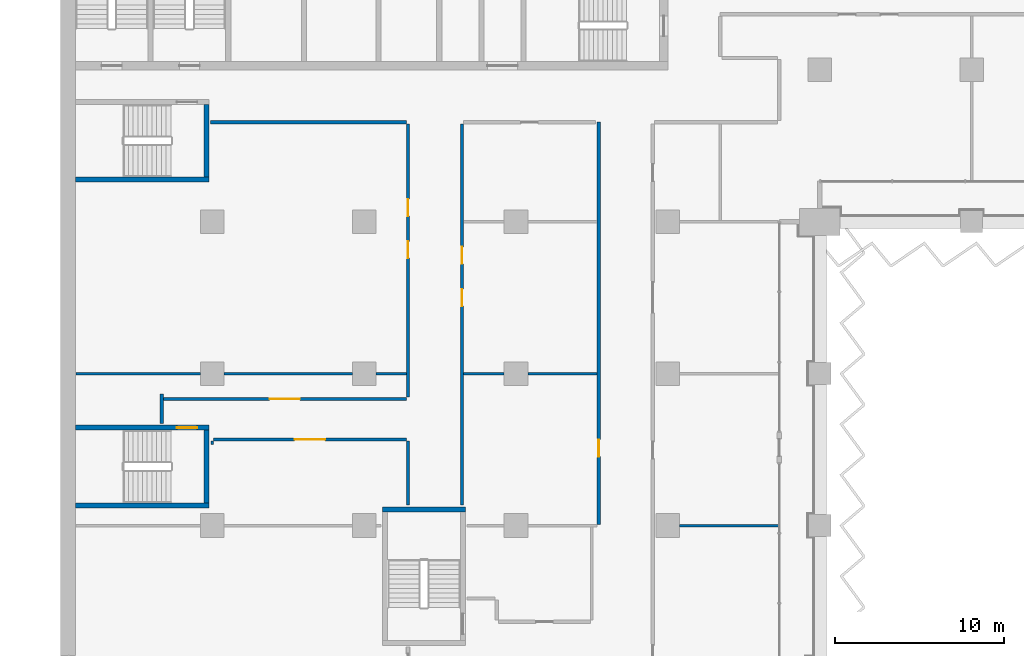
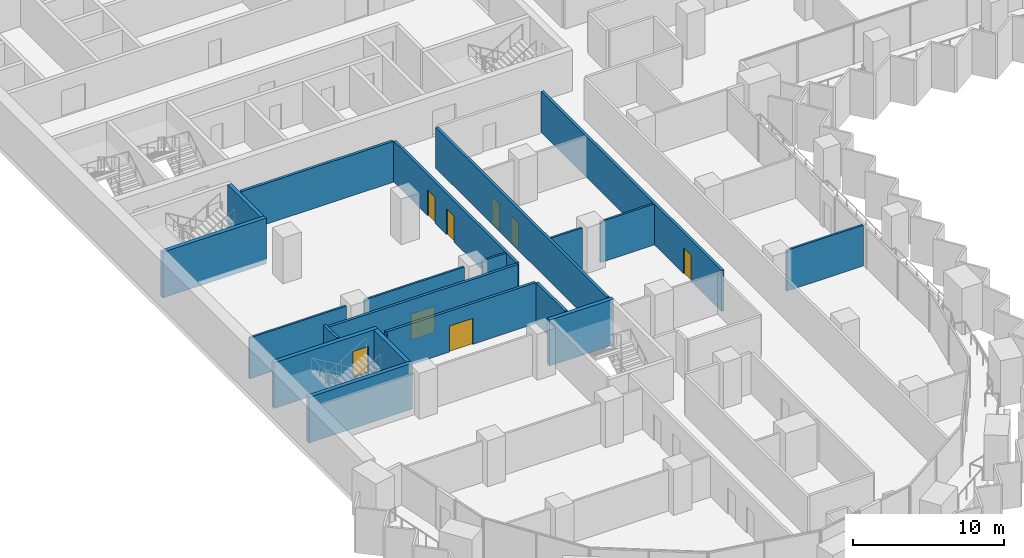
# One storey, part 11 of 28: 21 walls, 8 doors, 8 openings.
"""IFC4 building model written with IfcOpenShell, lengths in metres."""

from ifc_helpers import new_model, si_unit, direction, frame, frame_2d, origin, place, context, subcontext, project, spatial, rectangle, extrude, material, layer, layer_set, type_object, element, fill, save


model = new_model("IFC4")

# Units and contexts
model_context = context("Model", 3, precision=1e-05, world=origin(), true_north=direction((0.0, 1.0)))
body_context = subcontext(model_context, "Body", "Model", "MODEL_VIEW")
ifc_project = project(units=[si_unit("LENGTHUNIT", "METRE"), si_unit("AREAUNIT", "SQUARE_METRE"), si_unit("VOLUMEUNIT", "CUBIC_METRE"), si_unit("PLANEANGLEUNIT", "RADIAN"), si_unit("MASSUNIT", "GRAM", prefix="KILO")], contexts=[model_context])

# Site, building, storey
site_placement = place(None, origin())
site = spatial("IfcSite", under=ifc_project, at=site_placement, CompositionType="ELEMENT")
building_placement = place(site_placement, origin())
building = spatial("IfcBuilding", under=site, at=building_placement, Name="Hunhe Ridgeline Campus", CompositionType="ELEMENT")
storey_placement = place(building_placement, frame((0.0, 0.0, 58.0)))
storey = spatial("IfcBuildingStorey", under=building, at=storey_placement, Name="L13", CompositionType="ELEMENT", Elevation=58.0)

# Wall, opening, door
ifc_material_1 = material(Name="Gypsum board partition")
ifc_layer_1 = layer(ifc_material_1, 0.199951171875)
ifc_layer_set_1 = layer_set([ifc_layer_1], Name="Corridor partition 200 gypsum board on steel studs")
wall_type_1 = type_object("IfcWallType", Name="Corridor partition 200 gypsum board on steel studs", PredefinedType="PARTITIONING", material=ifc_layer_set_1)
wall_1_placement = place(storey_placement, frame((20.5, 41.10009765625, 0.0), z_axis=(0.0, 0.0, 1.0), x_axis=(-1.0, 0.0, 0.0)))
wall_1 = element("IfcWall", 1, at=wall_1_placement, inside=storey, type_object=wall_type_1, Name="F-L13-wall-023", PredefinedType="PARTITIONING", context=body_context, shape_type="SweptSolid", body=[
    extrude(rectangle(XDim=11.425048828125, YDim=0.199951171875, at=frame_2d((5.71240234375, 0.0))), origin(), (0.0, 0.0, 1.0), 3.300048828125),
])
opening_1_placement = place(wall_1_placement, frame((4.8125, 0.0, 0.0)))
opening_1 = element("IfcOpeningElement", 2, at=opening_1_placement, cuts=wall_1, Name="Opening RD2-014", PredefinedType="OPENING", context=body_context, shape_type="SweptSolid", body=[
    extrude(rectangle(XDim=1.800048828125, YDim=2.10009765625, at=frame_2d((0.89990234375, 1.050048828125))), frame((0.0, 0.10009765625, 0.0), z_axis=(0.0, -1.0, 0.0), x_axis=(1.0, 0.0, 0.0)), (0.0, 0.0, 1.0), 0.199951171875),
])
ifc_material_2 = material(Name="Timber door leaf", Category="wood")
door_type_1 = type_object("IfcDoorType", Name="Double fire door 1800x2100 timber FD60", OperationType="DOUBLE_DOOR_SINGLE_SWING", PredefinedType="DOOR", material=ifc_material_2)
door_1_placement = place(opening_1_placement, origin())
door_1 = element("IfcDoor", 3, at=door_1_placement, inside=storey, type_object=door_type_1, Name="F-L13-door-014", OperationType="DOUBLE_DOOR_SINGLE_SWING", OverallHeight=2.10009765625, OverallWidth=1.800048828125, PredefinedType="DOOR", context=body_context, shape_type="SweptSolid", body=[
    extrude(rectangle(XDim=1.800048828125, YDim=2.10009765625, at=frame_2d((0.89990234375, 1.050048828125))), frame((0.0, 0.02490234375, 0.0), z_axis=(0.0, -1.0, 0.0), x_axis=(1.0, 0.0, 0.0)), (0.0, 0.0, 1.0), 0.050048828125),
])
fill(opening_1, door_1)

wall_2_placement = place(storey_placement, frame((6.10009765625, 43.5, 0.0), z_axis=(0.0, 0.0, 1.0), x_axis=(1.0, 0.0, 0.0)))
wall_2 = element("IfcWall", 4, at=wall_2_placement, inside=storey, type_object=wall_type_1, Name="F-L13-wall-024", PredefinedType="PARTITIONING", context=body_context, shape_type="SweptSolid", body=[
    extrude(rectangle(XDim=14.39990234375, YDim=0.199951171875, at=frame_2d((7.199951171875, 0.0))), origin(), (0.0, 0.0, 1.0), 3.300048828125),
])
opening_2_placement = place(wall_2_placement, frame((6.300048828125, 0.0, 0.0)))
opening_2 = element("IfcOpeningElement", 5, at=opening_2_placement, cuts=wall_2, Name="Opening RD2-015", PredefinedType="OPENING", context=body_context, shape_type="SweptSolid", body=[
    extrude(rectangle(XDim=1.800048828125, YDim=2.10009765625, at=frame_2d((0.89990234375, 1.050048828125))), frame((0.0, 0.10009765625, 0.0), z_axis=(0.0, -1.0, 0.0), x_axis=(1.0, 0.0, 0.0)), (0.0, 0.0, 1.0), 0.199951171875),
])
door_2_placement = place(opening_2_placement, origin())
door_2 = element("IfcDoor", 6, at=door_2_placement, inside=storey, type_object=door_type_1, Name="F-L13-door-015", OperationType="DOUBLE_DOOR_SINGLE_SWING", OverallHeight=2.10009765625, OverallWidth=1.800048828125, PredefinedType="DOOR", context=body_context, shape_type="SweptSolid", body=[
    extrude(rectangle(XDim=1.800048828125, YDim=2.10009765625, at=frame_2d((0.89990234375, 1.050048828125))), frame((0.0, 0.02490234375, 0.0), z_axis=(0.0, -1.0, 0.0), x_axis=(1.0, 0.0, 0.0)), (0.0, 0.0, 1.0), 0.050048828125),
])
fill(opening_2, door_2)

# Walls
wall_3_placement = place(storey_placement, frame((20.5, 59.89990234375, 0.0), z_axis=(0.0, 0.0, 1.0), x_axis=(-1.0, 0.0, 0.0)))
element("IfcWall", 7, at=wall_3_placement, inside=storey, type_object=wall_type_1, Name="F-L13-wall-035", PredefinedType="PARTITIONING", context=body_context, shape_type="SweptSolid", body=[
    extrude(rectangle(XDim=11.595947265625, YDim=0.199951171875, at=frame_2d((5.7978515625, 0.0))), origin(), (0.0, 0.0, 1.0), 3.300048828125),
])
wall_4_placement = place(storey_placement, frame((6.0, 42.053955078125, 0.0), z_axis=(0.0, 0.0, 1.0), x_axis=(0.0, 1.0, 0.0)))
element("IfcWall", 8, at=wall_4_placement, inside=storey, type_object=wall_type_1, Name="F-L13-wall-047", PredefinedType="PARTITIONING", context=body_context, shape_type="SweptSolid", body=[
    extrude(rectangle(XDim=1.74609375, YDim=0.199951171875, at=frame_2d((0.873046875, 0.0))), origin(), (0.0, 0.0, 1.0), 3.300048828125),
])
wall_5_placement = place(storey_placement, frame((20.60009765625, 37.2041015625, 0.0), z_axis=(0.0, 0.0, 1.0), x_axis=(0.0, 1.0, 0.0)))
element("IfcWall", 9, at=wall_5_placement, inside=storey, type_object=wall_type_1, Name="F-L13-wall-050", PredefinedType="PARTITIONING", context=body_context, shape_type="SweptSolid", body=[
    extrude(rectangle(XDim=3.7958984375, YDim=0.199951171875, at=frame_2d((1.89794921875, 0.0))), origin(), (0.0, 0.0, 1.0), 3.300048828125),
])

# Wall, openings, doors
wall_6_placement = place(storey_placement, frame((20.60009765625, 43.6181640625, 0.0), z_axis=(0.0, 0.0, 1.0), x_axis=(0.0, 1.0, 0.0)))
wall_6 = element("IfcWall", 10, at=wall_6_placement, inside=storey, type_object=wall_type_1, Name="F-L13-wall-051", PredefinedType="PARTITIONING", context=body_context, shape_type="SweptSolid", body=[
    extrude(rectangle(XDim=16.181884765625, YDim=0.199951171875, at=frame_2d((8.0908203125, 0.0))), origin(), (0.0, 0.0, 1.0), 3.300048828125),
])
opening_3_placement = place(wall_6_placement, frame((8.22314453125, 0.0, 0.0)))
opening_3 = element("IfcOpeningElement", 11, at=opening_3_placement, cuts=wall_6, Name="Opening RD1-019", PredefinedType="OPENING", context=body_context, shape_type="SweptSolid", body=[
    extrude(rectangle(XDim=1.0, YDim=2.10009765625, at=frame_2d((0.5, 1.050048828125))), frame((0.0, 0.10009765625, 0.0), z_axis=(0.0, -1.0, 0.0), x_axis=(1.0, 0.0, 0.0)), (0.0, 0.0, 1.0), 0.199951171875),
])
opening_4_placement = place(wall_6_placement, frame((10.72314453125, 0.0, 0.0)))
opening_4 = element("IfcOpeningElement", 12, at=opening_4_placement, cuts=wall_6, Name="Opening RD1-020", PredefinedType="OPENING", context=body_context, shape_type="SweptSolid", body=[
    extrude(rectangle(XDim=1.0, YDim=2.10009765625, at=frame_2d((0.5, 1.050048828125))), frame((0.0, 0.10009765625, 0.0), z_axis=(0.0, -1.0, 0.0), x_axis=(1.0, 0.0, 0.0)), (0.0, 0.0, 1.0), 0.199951171875),
])
door_type_2 = type_object("IfcDoorType", Name="Single fire door 1000x2100 timber FD60", OperationType="NOTDEFINED", PredefinedType="DOOR", material=ifc_material_2)
door_3_placement = place(opening_3_placement, frame((1.0, 0.0, 0.0), z_axis=(0.0, 0.0, 1.0), x_axis=(-1.0, 0.0, 0.0)))
door_3 = element("IfcDoor", 13, at=door_3_placement, inside=storey, type_object=door_type_2, Name="F-L13-door-019", OperationType="SINGLE_SWING_RIGHT", OverallHeight=2.10009765625, OverallWidth=1.0, PredefinedType="DOOR", context=body_context, shape_type="SweptSolid", body=[
    extrude(rectangle(XDim=1.0, YDim=2.10009765625, at=frame_2d((0.5, 1.050048828125))), frame((0.0, 0.02490234375, 0.0), z_axis=(0.0, -1.0, 0.0), x_axis=(1.0, 0.0, 0.0)), (0.0, 0.0, 1.0), 0.050048828125),
])
fill(opening_3, door_3)
door_4_placement = place(opening_4_placement, frame((1.0, 0.0, 0.0), z_axis=(0.0, 0.0, 1.0), x_axis=(-1.0, 0.0, 0.0)))
door_4 = element("IfcDoor", 14, at=door_4_placement, inside=storey, type_object=door_type_2, Name="F-L13-door-020", OperationType="SINGLE_SWING_LEFT", OverallHeight=2.10009765625, OverallWidth=1.0, PredefinedType="DOOR", context=body_context, shape_type="SweptSolid", body=[
    extrude(rectangle(XDim=1.0, YDim=2.10009765625, at=frame_2d((0.5, 1.050048828125))), frame((0.0, 0.02490234375, 0.0), z_axis=(0.0, -1.0, 0.0), x_axis=(1.0, 0.0, 0.0)), (0.0, 0.0, 1.0), 0.050048828125),
])
fill(opening_4, door_4)

wall_7_placement = place(storey_placement, frame((23.800048828125, 59.800048828125, 0.0), z_axis=(0.0, 0.0, 1.0), x_axis=(0.0, -1.0, 0.0)))
wall_7 = element("IfcWall", 15, at=wall_7_placement, inside=storey, type_object=wall_type_1, Name="F-L13-wall-054", PredefinedType="PARTITIONING", context=body_context, shape_type="SweptSolid", body=[
    extrude(rectangle(XDim=22.595947265625, YDim=0.199951171875, at=frame_2d((11.2978515625, 0.0))), origin(), (0.0, 0.0, 1.0), 3.300048828125),
])
opening_5_placement = place(wall_7_placement, frame((9.793701171875, 0.0, 0.0)))
opening_5 = element("IfcOpeningElement", 16, at=opening_5_placement, cuts=wall_7, Name="Opening RD1-016", PredefinedType="OPENING", context=body_context, shape_type="SweptSolid", body=[
    extrude(rectangle(XDim=1.0, YDim=2.10009765625, at=frame_2d((0.5, 1.050048828125))), frame((0.0, 0.10009765625, 0.0), z_axis=(0.0, -1.0, 0.0), x_axis=(1.0, 0.0, 0.0)), (0.0, 0.0, 1.0), 0.199951171875),
])
opening_6_placement = place(wall_7_placement, frame((7.293701171875, 0.0, 0.0)))
opening_6 = element("IfcOpeningElement", 17, at=opening_6_placement, cuts=wall_7, Name="Opening RD1-018", PredefinedType="OPENING", context=body_context, shape_type="SweptSolid", body=[
    extrude(rectangle(XDim=1.0, YDim=2.10009765625, at=frame_2d((0.5, 1.050048828125))), frame((0.0, 0.10009765625, 0.0), z_axis=(0.0, -1.0, 0.0), x_axis=(1.0, 0.0, 0.0)), (0.0, 0.0, 1.0), 0.199951171875),
])
door_5_placement = place(opening_5_placement, frame((1.0, 0.0, 0.0), z_axis=(0.0, 0.0, 1.0), x_axis=(-1.0, 0.0, 0.0)))
door_5 = element("IfcDoor", 18, at=door_5_placement, inside=storey, type_object=door_type_2, Name="F-L13-door-016", OperationType="SINGLE_SWING_RIGHT", OverallHeight=2.10009765625, OverallWidth=1.0, PredefinedType="DOOR", context=body_context, shape_type="SweptSolid", body=[
    extrude(rectangle(XDim=1.0, YDim=2.10009765625, at=frame_2d((0.5, 1.050048828125))), frame((0.0, 0.02490234375, 0.0), z_axis=(0.0, -1.0, 0.0), x_axis=(1.0, 0.0, 0.0)), (0.0, 0.0, 1.0), 0.050048828125),
])
fill(opening_5, door_5)
door_6_placement = place(opening_6_placement, frame((1.0, 0.0, 0.0), z_axis=(0.0, 0.0, 1.0), x_axis=(-1.0, 0.0, 0.0)))
door_6 = element("IfcDoor", 19, at=door_6_placement, inside=storey, type_object=door_type_2, Name="F-L13-door-018", OperationType="SINGLE_SWING_RIGHT", OverallHeight=2.10009765625, OverallWidth=1.0, PredefinedType="DOOR", context=body_context, shape_type="SweptSolid", body=[
    extrude(rectangle(XDim=1.0, YDim=2.10009765625, at=frame_2d((0.5, 1.050048828125))), frame((0.0, 0.02490234375, 0.0), z_axis=(0.0, -1.0, 0.0), x_axis=(1.0, 0.0, 0.0)), (0.0, 0.0, 1.0), 0.050048828125),
])
fill(opening_6, door_6)

# Wall, opening, door
wall_8_placement = place(storey_placement, frame((31.89990234375, 36.074951171875, 0.0), z_axis=(0.0, 0.0, 1.0), x_axis=(0.0, 1.0, 0.0)))
wall_8 = element("IfcWall", 20, at=wall_8_placement, inside=storey, type_object=wall_type_1, Name="F-L13-wall-059", PredefinedType="PARTITIONING", context=body_context, shape_type="SweptSolid", body=[
    extrude(rectangle(XDim=23.824951171875, YDim=0.199951171875, at=frame_2d((11.91259765625, 0.0))), origin(), (0.0, 0.0, 1.0), 3.300048828125),
])
opening_7_placement = place(wall_8_placement, frame((4.01416015625, 0.0, 0.0)))
opening_7 = element("IfcOpeningElement", 21, at=opening_7_placement, cuts=wall_8, Name="Opening RD1-013", PredefinedType="OPENING", context=body_context, shape_type="SweptSolid", body=[
    extrude(rectangle(XDim=1.0, YDim=2.10009765625, at=frame_2d((0.5, 1.050048828125))), frame((0.0, 0.10009765625, 0.0), z_axis=(0.0, -1.0, 0.0), x_axis=(1.0, 0.0, 0.0)), (0.0, 0.0, 1.0), 0.199951171875),
])
door_7_placement = place(opening_7_placement, origin())
door_7 = element("IfcDoor", 22, at=door_7_placement, inside=storey, type_object=door_type_2, Name="F-L13-door-013", OperationType="SINGLE_SWING_RIGHT", OverallHeight=2.10009765625, OverallWidth=1.0, PredefinedType="DOOR", context=body_context, shape_type="SweptSolid", body=[
    extrude(rectangle(XDim=1.0, YDim=2.10009765625, at=frame_2d((0.5, 1.050048828125))), frame((0.0, 0.02490234375, 0.0), z_axis=(0.0, -1.0, 0.0), x_axis=(1.0, 0.0, 0.0)), (0.0, 0.0, 1.0), 0.050048828125),
])
fill(opening_7, door_7)

# Walls
ifc_layer_2 = layer(ifc_material_1, 0.14990234375)
ifc_layer_set_2 = layer_set([ifc_layer_2], Name="Room partition 150 gypsum board on steel studs")
wall_type_2 = type_object("IfcWallType", Name="Room partition 150 gypsum board on steel studs", PredefinedType="PARTITIONING", material=ifc_layer_set_2)
wall_9_placement = place(storey_placement, frame((36.699951171875, 36.0, 0.0), z_axis=(0.0, 0.0, 1.0), x_axis=(1.0, 0.0, 0.0)))
element("IfcWall", 23, at=wall_9_placement, inside=storey, type_object=wall_type_2, Name="F-L13-wall-022", PredefinedType="PARTITIONING", context=body_context, shape_type="SweptSolid", body=[
    extrude(rectangle(XDim=5.844970703125, YDim=0.14990234375, at=frame_2d((2.92236328125, 0.0))), origin(), (0.0, 0.0, 1.0), 3.300048828125),
])
wall_10_placement = place(storey_placement, frame((0.919921875, 45.0, 0.0), z_axis=(0.0, 0.0, 1.0), x_axis=(1.0, 0.0, 0.0)))
element("IfcWall", 24, at=wall_10_placement, inside=storey, type_object=wall_type_2, Name="F-L13-wall-025", PredefinedType="PARTITIONING", context=body_context, shape_type="SweptSolid", body=[
    extrude(rectangle(XDim=7.380126953125, YDim=0.14990234375, at=frame_2d((3.68994140625, 0.0))), origin(), (0.0, 0.0, 1.0), 3.300048828125),
])
wall_11_placement = place(storey_placement, frame((9.699951171875, 45.0, 0.0), z_axis=(0.0, 0.0, 1.0), x_axis=(1.0, 0.0, 0.0)))
element("IfcWall", 25, at=wall_11_placement, inside=storey, type_object=wall_type_2, Name="F-L13-wall-026", PredefinedType="PARTITIONING", context=body_context, shape_type="SweptSolid", body=[
    extrude(rectangle(XDim=7.60009765625, YDim=0.14990234375, at=frame_2d((3.800048828125, 0.0))), origin(), (0.0, 0.0, 1.0), 3.300048828125),
])
wall_12_placement = place(storey_placement, frame((18.699951171875, 45.0, 0.0), z_axis=(0.0, 0.0, 1.0), x_axis=(1.0, 0.0, 0.0)))
element("IfcWall", 26, at=wall_12_placement, inside=storey, type_object=wall_type_2, Name="F-L13-wall-027", PredefinedType="PARTITIONING", context=body_context, shape_type="SweptSolid", body=[
    extrude(rectangle(XDim=1.800048828125, YDim=0.14990234375, at=frame_2d((0.89990234375, 0.0))), origin(), (0.0, 0.0, 1.0), 3.300048828125),
])
wall_13_placement = place(storey_placement, frame((23.89990234375, 45.0, 0.0), z_axis=(0.0, 0.0, 1.0), x_axis=(1.0, 0.0, 0.0)))
element("IfcWall", 27, at=wall_13_placement, inside=storey, type_object=wall_type_2, Name="F-L13-wall-028", PredefinedType="PARTITIONING", context=body_context, shape_type="SweptSolid", body=[
    extrude(rectangle(XDim=2.400146484375, YDim=0.14990234375, at=frame_2d((1.2001953125, 0.0))), origin(), (0.0, 0.0, 1.0), 3.300048828125),
])
wall_14_placement = place(storey_placement, frame((27.699951171875, 45.0, 0.0), z_axis=(0.0, 0.0, 1.0), x_axis=(1.0, 0.0, 0.0)))
element("IfcWall", 28, at=wall_14_placement, inside=storey, type_object=wall_type_2, Name="F-L13-wall-029", PredefinedType="PARTITIONING", context=body_context, shape_type="SweptSolid", body=[
    extrude(rectangle(XDim=4.10009765625, YDim=0.14990234375, at=frame_2d((2.050048828125, 0.0))), origin(), (0.0, 0.0, 1.0), 3.300048828125),
])
wall_15_placement = place(storey_placement, frame((9.0, 41.0, 0.0), z_axis=(0.0, 0.0, 1.0), x_axis=(0.0, -1.0, 0.0)))
element("IfcWall", 29, at=wall_15_placement, inside=storey, type_object=wall_type_2, Name="F-L13-wall-048", PredefinedType="PARTITIONING", context=body_context, shape_type="SweptSolid", body=[
    extrude(rectangle(XDim=0.199951171875, YDim=0.14990234375, at=frame_2d((0.10009765625, 0.0))), origin(), (0.0, 0.0, 1.0), 3.300048828125),
])
ifc_material_3 = material(Name="Concrete C80", Category="concrete")
ifc_layer_3 = layer(ifc_material_3, 0.300048828125)
ifc_layer_set_3 = layer_set([ifc_layer_3], Name="Stair wall 300 reinforced concrete C80")
wall_type_3 = type_object("IfcWallType", Name="Stair wall 300 reinforced concrete C80", PredefinedType="SOLIDWALL", material=ifc_layer_set_3)
wall_16_placement = place(storey_placement, frame((19.10009765625, 36.949951171875, -0.39990234375), z_axis=(0.0, 0.0, 1.0), x_axis=(1.0, 0.0, 0.0)))
element("IfcWall", 30, at=wall_16_placement, inside=storey, type_object=wall_type_3, Name="L13 core wall 2", PredefinedType="SOLIDWALL", context=body_context, shape_type="SweptSolid", body=[
    extrude(rectangle(XDim=4.89990234375, YDim=0.300048828125, at=frame_2d((2.449951171875, 0.0))), origin(), (0.0, 0.0, 1.0), 3.699951171875),
])
wall_17_placement = place(storey_placement, frame((0.89990234375, 37.199951171875, -0.39990234375), z_axis=(0.0, 0.0, 1.0), x_axis=(1.0, 0.0, 0.0)))
element("IfcWall", 31, at=wall_17_placement, inside=storey, type_object=wall_type_3, Name="L13 core wall 3", PredefinedType="SOLIDWALL", context=body_context, shape_type="SweptSolid", body=[
    extrude(rectangle(XDim=7.900146484375, YDim=0.300048828125, at=frame_2d((3.9501953125, 0.0))), origin(), (0.0, 0.0, 1.0), 3.699951171875),
])

# Wall, opening, door
wall_18_placement = place(storey_placement, frame((0.89990234375, 41.800048828125, -0.39990234375), z_axis=(0.0, 0.0, 1.0), x_axis=(1.0, 0.0, 0.0)))
wall_18 = element("IfcWall", 32, at=wall_18_placement, inside=storey, type_object=wall_type_3, Name="L13 core wall 4", PredefinedType="SOLIDWALL", context=body_context, shape_type="SweptSolid", body=[
    extrude(rectangle(XDim=7.900146484375, YDim=0.300048828125, at=frame_2d((3.9501953125, 0.0))), origin(), (0.0, 0.0, 1.0), 3.699951171875),
])
opening_8_placement = place(wall_18_placement, frame((6.0, 0.0, 0.39990234375)))
opening_8 = element("IfcOpeningElement", 33, at=opening_8_placement, cuts=wall_18, Name="Opening CD21", PredefinedType="OPENING", context=body_context, shape_type="SweptSolid", body=[
    extrude(rectangle(XDim=1.199951171875, YDim=2.10009765625, at=frame_2d((0.60009765625, 1.050048828125))), frame((0.0, 0.14990234375, 0.0), z_axis=(0.0, -1.0, 0.0), x_axis=(1.0, 0.0, 0.0)), (0.0, 0.0, 1.0), 0.300048828125),
])
ifc_material_4 = material(Name="Hollow metal fire door leaf")
door_type_3 = type_object("IfcDoorType", Name="Stair door 1200x2100 FD60", OperationType="SINGLE_SWING_LEFT", PredefinedType="DOOR", material=ifc_material_4)
door_8_placement = place(opening_8_placement, origin())
door_8 = element("IfcDoor", 34, at=door_8_placement, inside=storey, type_object=door_type_3, Name="L13 door W1", OperationType="SINGLE_SWING_LEFT", OverallHeight=2.10009765625, OverallWidth=1.199951171875, PredefinedType="DOOR", context=body_context, shape_type="SweptSolid", body=[
    extrude(rectangle(XDim=1.199951171875, YDim=2.10009765625, at=frame_2d((0.60009765625, 1.050048828125))), frame((0.0, 0.02490234375, 0.0), z_axis=(0.0, -1.0, 0.0), x_axis=(1.0, 0.0, 0.0)), (0.0, 0.0, 1.0), 0.050048828125),
])
fill(opening_8, door_8)

# Walls
wall_19_placement = place(storey_placement, frame((0.89990234375, 56.5, -0.39990234375), z_axis=(0.0, 0.0, 1.0), x_axis=(1.0, 0.0, 0.0)))
element("IfcWall", 35, at=wall_19_placement, inside=storey, type_object=wall_type_3, Name="L13 core wall 5", PredefinedType="SOLIDWALL", context=body_context, shape_type="SweptSolid", body=[
    extrude(rectangle(XDim=7.900146484375, YDim=0.300048828125, at=frame_2d((3.9501953125, 0.0))), origin(), (0.0, 0.0, 1.0), 3.699951171875),
])
wall_20_placement = place(storey_placement, frame((8.64990234375, 37.35009765625, -0.39990234375), z_axis=(0.0, 0.0, 1.0), x_axis=(0.0, 1.0, 0.0)))
element("IfcWall", 36, at=wall_20_placement, inside=storey, type_object=wall_type_3, Name="L13 core wall 40", PredefinedType="SOLIDWALL", context=body_context, shape_type="SweptSolid", body=[
    extrude(rectangle(XDim=4.2998046875, YDim=0.300048828125, at=frame_2d((2.14990234375, 0.0))), origin(), (0.0, 0.0, 1.0), 3.699951171875),
])
wall_21_placement = place(storey_placement, frame((8.64990234375, 56.64990234375, -0.39990234375), z_axis=(0.0, 0.0, 1.0), x_axis=(0.0, 1.0, 0.0)))
element("IfcWall", 37, at=wall_21_placement, inside=storey, type_object=wall_type_3, Name="L13 core wall 41", PredefinedType="SOLIDWALL", context=body_context, shape_type="SweptSolid", body=[
    extrude(rectangle(XDim=4.300048828125, YDim=0.300048828125, at=frame_2d((2.14990234375, 0.0))), origin(), (0.0, 0.0, 1.0), 3.699951171875),
])

save(model, "model.ifc")
